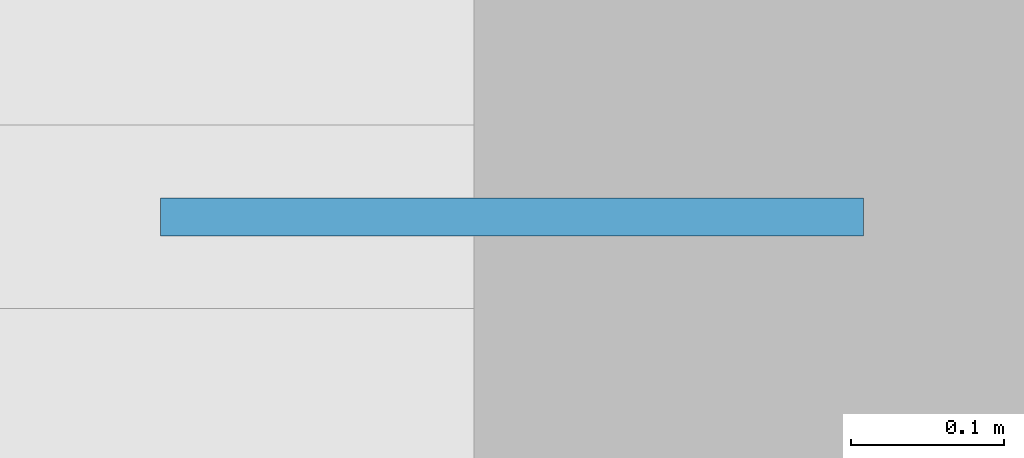
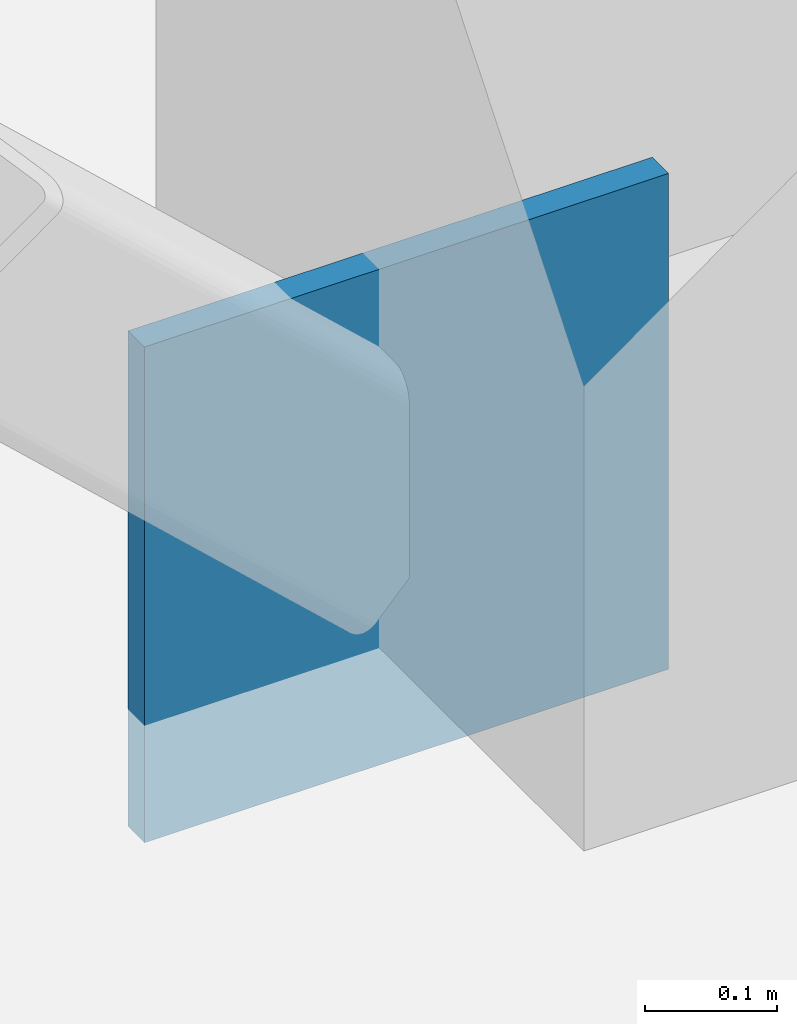
# One storey, part 20 of 35: 1 plate.
"""IFC4 building model written with IfcOpenShell, lengths in metres."""

import ifcopenshell
import ifcopenshell.guid

model = None  # the IFC model being written
_history = None  # IfcOwnerHistory: only IFC2X3 demands one
_inside = {}  # id of a spatial element -> (the spatial element, [elements in it])
_under = {}  # id of a project, library or spatial element -> (it, [spatial elements below it])
_declared = {}  # id of a project -> (the project, [libraries it declares])
_typed = {}  # id of a type object -> (the type object, [elements of that type])
_made_of = {}  # id of a material, layer set ... -> (it, [elements and type objects made of it])


def new_model(schema):
    """Start an empty IFC model of exactly this schema.

    Asked for "IFC4X3", IfcOpenShell would pick the latest addendum, in which some entities
    have other attributes; the version numbers below select the first issue.
    IFC2X3 requires an IfcOwnerHistory on every rooted entity: one is made here for all.
    """
    global model, _history
    if schema == "IFC4X3":
        model = ifcopenshell.file(schema_version=(4, 3, 0, 0))
    else:
        model = ifcopenshell.file(schema=schema)
    _inside.clear()
    _under.clear()
    _declared.clear()
    _typed.clear()
    _made_of.clear()
    _history = None
    if model.schema == "IFC2X3":
        org = make("IfcOrganization", Name="unknown")
        user = make(
            "IfcPersonAndOrganization",
            ThePerson=make("IfcPerson", FamilyName="unknown"),
            TheOrganization=org,
        )
        app = make(
            "IfcApplication",
            ApplicationDeveloper=org,
            Version="unknown",
            ApplicationFullName="unknown",
            ApplicationIdentifier="unknown",
        )
        _history = make(
            "IfcOwnerHistory",
            OwningUser=user,
            OwningApplication=app,
            ChangeAction="ADDED",
            CreationDate=0,
        )
    return model


def make(cls, **values):
    """One entity of the class cls with the attributes given. An attribute that is None is left unset."""
    return model.create_entity(
        cls, **{name: value for name, value in values.items() if value is not None}
    )


def rooted(cls, **values):
    """An entity with a GlobalId (a new one), such as an element, a storey or a relation."""
    return make(cls, GlobalId=ifcopenshell.guid.new(), OwnerHistory=_history, **values)


def si_unit(unit_type, name, prefix=None):
    """IfcSIUnit, for example si_unit("LENGTHUNIT", "METRE", prefix="MILLI")."""
    return make("IfcSIUnit", UnitType=unit_type, Prefix=prefix, Name=name)


def assignment(units):
    """IfcUnitAssignment: the units of a project."""
    return None if units is None else make("IfcUnitAssignment", Units=units)


def point(xyz):
    """IfcCartesianPoint."""
    return None if xyz is None else make("IfcCartesianPoint", Coordinates=xyz)


def direction(xyz):
    """IfcDirection."""
    return None if xyz is None else make("IfcDirection", DirectionRatios=xyz)


def frame(location, z_axis=None, x_axis=None):
    """IfcAxis2Placement3D, a coordinate frame: its origin and axes. An axis left out is left unset."""
    return make(
        "IfcAxis2Placement3D",
        Location=point(location),
        Axis=direction(z_axis),
        RefDirection=direction(x_axis),
    )


def frame_2d(location, x_axis=None):
    """IfcAxis2Placement2D, a coordinate frame in the plane: its origin and x axis."""
    return make(
        "IfcAxis2Placement2D", Location=point(location), RefDirection=direction(x_axis)
    )


def origin():
    """The frame at (0, 0, 0) with its axes left unset."""
    return frame((0.0, 0.0, 0.0))


def origin_2d():
    """The frame at (0, 0) in the plane with its x axis left unset."""
    return frame_2d((0.0, 0.0))


def place(relative_to, where):
    """IfcLocalPlacement: puts the frame where relative to a parent placement (None: the world)."""
    return make(
        "IfcLocalPlacement", PlacementRelTo=relative_to, RelativePlacement=where
    )


def context(
    kind, dimensions, precision=None, world=None, true_north=None, identifier=None
):
    """IfcGeometricRepresentationContext, for example the 3D "Model" context."""
    return make(
        "IfcGeometricRepresentationContext",
        ContextIdentifier=identifier,
        ContextType=kind,
        CoordinateSpaceDimension=dimensions,
        Precision=precision,
        WorldCoordinateSystem=world,
        TrueNorth=true_north,
    )


def subcontext(parent, identifier, kind, view, scale=None):
    """IfcGeometricRepresentationSubContext, for example "Body" below "Model"."""
    return make(
        "IfcGeometricRepresentationSubContext",
        ContextIdentifier=identifier,
        ContextType=kind,
        ParentContext=parent,
        TargetScale=scale,
        TargetView=view,
    )


def project(units=None, contexts=None):
    """IfcProject with its units and contexts."""
    return rooted(
        "IfcProject",
        Name="project",
        RepresentationContexts=contexts,
        UnitsInContext=assignment(units),
    )


def spatial(cls, under=None, at=None, **own):
    """A site, building, storey or space (cls), placed at a placement, below another one or the project."""
    s = rooted(cls, ObjectPlacement=at, **own)
    if under is not None:
        _under.setdefault(under.id(), (under, []))[1].append(s)
    return s


def profile(cls, at=None, kind="AREA", **sizes):
    """A parametric profile (cls). Its sizes go by their IFC names, for example OverallWidth=200.0."""
    return make(cls, ProfileType=kind, Position=at, **sizes)


def rectangle(**sizes):
    """IfcRectangleProfileDef."""
    return profile("IfcRectangleProfileDef", **sizes)


def extrude(swept, where, along, depth):
    """IfcExtrudedAreaSolid: the profile swept, set in the frame where, extruded along a direction by depth."""
    return make(
        "IfcExtrudedAreaSolid",
        SweptArea=swept,
        Position=where,
        ExtrudedDirection=direction(along),
        Depth=depth,
    )


def shape(context_of_items, identifier, shape_type, items):
    """IfcShapeRepresentation: the items that make up one representation, for example the "Body"."""
    return make(
        "IfcShapeRepresentation",
        ContextOfItems=context_of_items,
        RepresentationIdentifier=identifier,
        RepresentationType=shape_type,
        Items=items,
    )


def material(Name=None, Category=None):
    """IfcMaterial."""
    return make("IfcMaterial", Name=Name, Category=Category)


def layer(
    of_material, thickness, ventilated=None, Name=None, Category=None, Priority=None
):
    """IfcMaterialLayer: one layer of a wall or slab, of a material (None: an air gap)."""
    return make(
        "IfcMaterialLayer",
        Material=of_material,
        LayerThickness=thickness,
        IsVentilated=ventilated,
        Name=Name,
        Category=Category,
        Priority=Priority,
    )


def layer_set(layers, Name=None):
    """IfcMaterialLayerSet."""
    return make("IfcMaterialLayerSet", MaterialLayers=layers, LayerSetName=Name)


def made_of(thing, what):
    """Note that an element or type object is made of a material, layer set ...; save() writes the relation."""
    if what is not None:
        _made_of.setdefault(what.id(), (what, []))[1].append(thing)
    return thing


def type_object(cls, material=None, **own):
    """A type object (cls), such as IfcWallType, which elements share."""
    return made_of(rooted(cls, **own), material)


def element(
    cls,
    number,
    at=None,
    inside=None,
    cuts=None,
    type_object=None,
    material=None,
    context=None,
    identifier="Body",
    shape_type=None,
    held_by="IfcProductDefinitionShape",
    body=None,
    shapes=None,
    **own,
):
    """One element of the class cls, such as IfcWall. Its Tag is "e" and its number.

    at: its placement. inside: the storey or other place that contains it. cuts: it is an
    opening in that element (IfcRelVoidsElement). A single representation is given by context,
    identifier, shape_type and body (its items); several are given by shapes. held_by: the class
    of the entity that holds the representations. save() writes the other relations.
    """
    e = rooted(cls, Tag="e%d" % number, ObjectPlacement=at, **own)
    if body is not None:
        shapes = [shape(context, identifier, shape_type, body)]
    if shapes is not None:
        e.Representation = make(held_by, Representations=shapes)
    if inside is not None:
        _inside.setdefault(inside.id(), (inside, []))[1].append(e)
    if cuts is not None:
        rooted(
            "IfcRelVoidsElement", RelatingBuildingElement=cuts, RelatedOpeningElement=e
        )
    if type_object is not None:
        _typed.setdefault(type_object.id(), (type_object, []))[1].append(e)
    return made_of(e, material)


def aggregate(whole, parts):
    """IfcRelAggregates: a whole, such as a stair, and the parts it consists of."""
    return rooted("IfcRelAggregates", RelatingObject=whole, RelatedObjects=parts)


def save(model, path):
    """Write the relations noted so far, then the file.

    IfcRelAggregates (storeys below a building ...), IfcRelContainedInSpatialStructure (elements
    in a storey), IfcRelDefinesByType, IfcRelAssociatesMaterial and IfcRelDeclares: one each for
    every whole, place, type object, material and project.
    """
    for whole, parts in _under.values():
        aggregate(whole, parts)
    for where, things in _inside.values():
        rooted(
            "IfcRelContainedInSpatialStructure",
            RelatedElements=things,
            RelatingStructure=where,
        )
    for kind, things in _typed.values():
        rooted("IfcRelDefinesByType", RelatedObjects=things, RelatingType=kind)
    for what, things in _made_of.values():
        rooted("IfcRelAssociatesMaterial", RelatedObjects=things, RelatingMaterial=what)
    for by, libraries in _declared.values():
        rooted("IfcRelDeclares", RelatingContext=by, RelatedDefinitions=libraries)
    model.write(path)


model = new_model("IFC4")

# Units and contexts
model_context = context("Model", 3, precision=1e-05, world=origin(), true_north=direction((0.0, 1.0)))
body_context = subcontext(model_context, "Body", "Model", "MODEL_VIEW")
ifc_project = project(units=[si_unit("LENGTHUNIT", "METRE"), si_unit("AREAUNIT", "SQUARE_METRE"), si_unit("VOLUMEUNIT", "CUBIC_METRE"), si_unit("PLANEANGLEUNIT", "RADIAN"), si_unit("MASSUNIT", "GRAM", prefix="KILO"), si_unit("THERMODYNAMICTEMPERATUREUNIT", "KELVIN"), si_unit("POWERUNIT", "WATT")], contexts=[model_context])

# Site, building, storey
site_placement = place(None, origin())
site = spatial("IfcSite", under=ifc_project, at=site_placement, CompositionType="ELEMENT")
building_placement = place(site_placement, origin())
building = spatial("IfcBuilding", under=site, at=building_placement, Name="Solvatero Civic Police Headquarters", CompositionType="ELEMENT")
storey_placement = place(building_placement, frame((0.0, 0.0, -4.199951171875)))
storey = spatial("IfcBuildingStorey", under=building, at=storey_placement, Name="B01", CompositionType="ELEMENT", Elevation=-4.199951171875)

# Plate
ifc_material = material(Name="Steel S355", Category="steel")
ifc_layer = layer(ifc_material, 0.02490234375)
ifc_layer_set = layer_set([ifc_layer], Name="Steel S355")
plate_type = type_object("IfcPlateType", Name="PLT-GUS-20", PredefinedType="SHEET", material=ifc_layer_set)
plate_placement = place(storey_placement, frame((135.699951171875, 36.5, -0.110107421875), z_axis=(0.0, 0.0, 1.0), x_axis=(1.0, 0.0, 0.0)))
element("IfcPlate", 1, at=plate_placement, inside=storey, type_object=plate_type, Name="Gusset Plate BR-V3-INT BSR B01", PredefinedType="SHEET", context=body_context, shape_type="SweptSolid", body=[
    extrude(rectangle(XDim=0.4599609375, YDim=0.02490234375, at=origin_2d()), origin(), (0.0, 0.0, 1.0), 0.4599609375),
])

save(model, "model.ifc")
